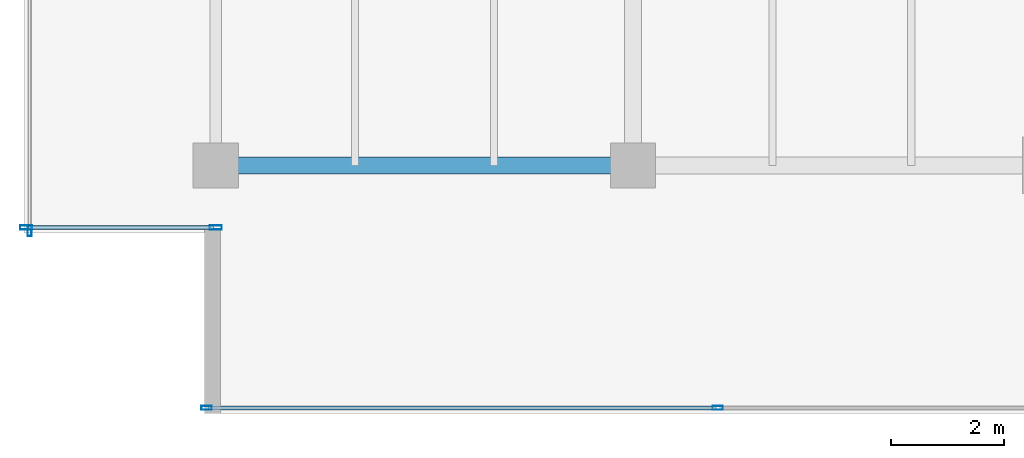
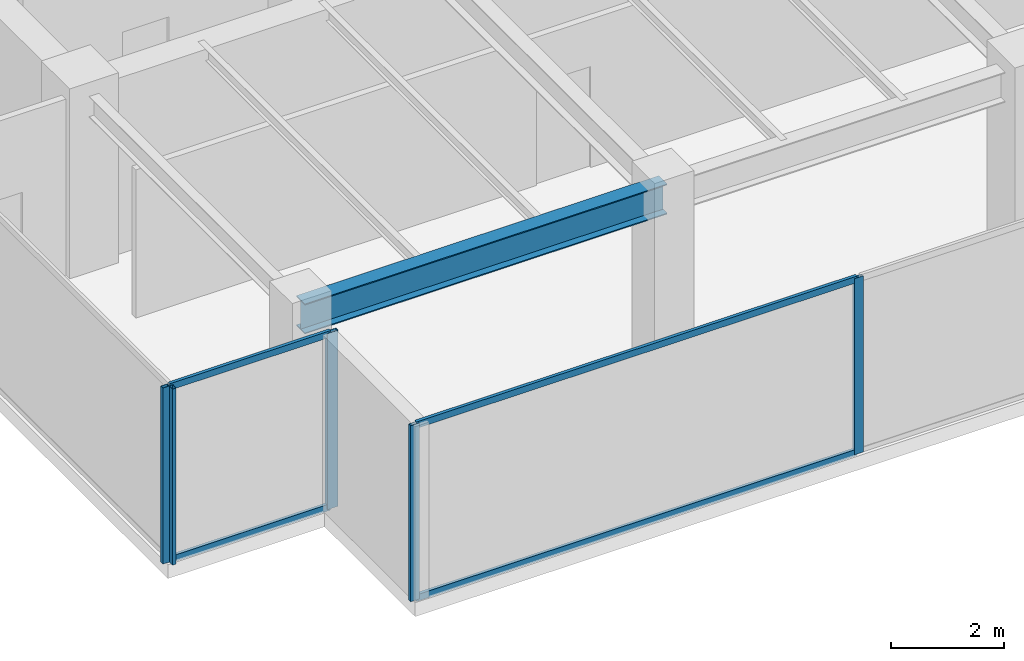
# One storey, part 5 of 33: 9 members, 1 beam, 3 elements without a shape of their own.
"""IFC4 building model written with IfcOpenShell, lengths in metres."""

from ifc_helpers import new_model, si_unit, direction, frame, origin, origin_2d, place, context, subcontext, project, spatial, hollow_rectangle, i_section, extrude, source, transform, mapped, material, layer, layer_set, material_profile, profile_set, type_object, type_shapes, element, aggregate, save


model = new_model("IFC4")

# Units and contexts
model_context = context("Model", 3, precision=1e-05, world=origin(), true_north=direction((0.0, 1.0)))
body_context = subcontext(model_context, "Body", "Model", "MODEL_VIEW")
ifc_project = project(units=[si_unit("LENGTHUNIT", "METRE"), si_unit("AREAUNIT", "SQUARE_METRE"), si_unit("VOLUMEUNIT", "CUBIC_METRE"), si_unit("PLANEANGLEUNIT", "RADIAN"), si_unit("MASSUNIT", "GRAM", prefix="KILO")], contexts=[model_context])

# Site, building, storey
site_placement = place(None, origin())
site = spatial("IfcSite", under=ifc_project, at=site_placement, CompositionType="ELEMENT")
building_placement = place(site_placement, origin())
building = spatial("IfcBuilding", under=site, at=building_placement, Name="Haelvirn Gate Laboratories", CompositionType="ELEMENT")
storey_placement = place(building_placement, frame((0.0, 0.0, 271.10009765625)))
storey = spatial("IfcBuildingStorey", under=building, at=storey_placement, Name="L65", CompositionType="ELEMENT", Elevation=271.10009765625)

# Beam
ifc_material_1 = material(Name="Steel SM355", Category="steel")
ifc_material_profile_1 = material_profile(ifc_material_1, i_section(OverallWidth=0.300048828125, OverallDepth=0.64990234375, WebThickness=0.012939453125, FlangeThickness=0.02197265625, at=origin_2d()), Name="H-650x300x13x22")
ifc_profile_set_1 = profile_set([ifc_material_profile_1], Name="Steel SM355")
beam_type = type_object("IfcBeamType", Name="BM-G-650", PredefinedType="BEAM", material=ifc_profile_set_1)
shared_shape_1 = source(origin(), body_context, "Body", "SweptSolid", [
    extrude(i_section(OverallWidth=0.300048828125, OverallDepth=0.64990234375, WebThickness=0.012939453125, FlangeThickness=0.02197265625, at=origin_2d()), origin(), (0.0, 0.0, 1.0), 7.400146484375),
])
type_shapes(beam_type, [shared_shape_1])
beam_placement = place(storey_placement, frame((7.39990234375, 7.0, 3.474853515625), z_axis=(1.0, 0.0, 0.0), x_axis=(0.0, 1.0, 0.0)))
element("IfcBeam", 1, at=beam_placement, inside=storey, type_object=beam_type, Name="L65 Primary Girder Y7.0 (7.4-14.8)", PredefinedType="BEAM", context=body_context, shape_type="MappedRepresentation", body=[
    mapped(shared_shape_1, transform((0.0, 0.0, 0.0), scale=1.0)),
])

# Curtain wall, members
ifc_material_2 = material(Name="Anodised bronze unitised aluminium & triple low-E glass", Category="aluminium")
ifc_layer_1 = layer(ifc_material_2, 0.181884765625, Name="CW-SYS-5")
ifc_layer_set_1 = layer_set([ifc_layer_1], Name="Anodised bronze unitised aluminium & triple low-E glass")
curtain_wall_type_1 = type_object("IfcCurtainWallType", Name="CW-SYS-5", PredefinedType="NOTDEFINED", material=ifc_layer_set_1)
curtain_wall_1_placement = place(storey_placement, origin())
curtain_wall_1 = element("IfcCurtainWall", 2, at=curtain_wall_1_placement, inside=storey, type_object=curtain_wall_type_1, Name="L65 Unitised Curtain Wall CW-L65-P0-E18-1", PredefinedType="NOTDEFINED")
ifc_material_3 = material(Name="Extruded aluminium 6063-T6 (anodised bronze)", Category="aluminium")
ifc_material_profile_2 = material_profile(ifc_material_3, hollow_rectangle(XDim=0.06494140625, YDim=0.139892578125, WallThickness=0.00390625, at=origin_2d()), Name="CWT-140x65x4")
ifc_profile_set_2 = profile_set([ifc_material_profile_2], Name="Extruded aluminium 6063-T6 (anodised bronze)")
member_type_1 = type_object("IfcMemberType", Name="CWT-T140", PredefinedType="USERDEFINED", material=ifc_profile_set_2)
shared_shape_2 = source(origin(), body_context, "Body", "SweptSolid", [
    extrude(hollow_rectangle(XDim=0.06494140625, YDim=0.139892578125, WallThickness=0.00390625, at=origin_2d()), origin(), (0.0, 0.0, 1.0), 3.280029296875),
])
member_1_placement = place(storey_placement, frame((4.080078125, 5.89990234375, 0.032470703125), z_axis=(1.0, 0.0, 0.0), x_axis=(0.0, 1.0, 0.0)))
member_1 = element("IfcMember", 3, at=member_1_placement, type_object=member_type_1, Name="CW5 transom 1.1", ObjectType="TRANSOM", PredefinedType="USERDEFINED", context=body_context, shape_type="MappedRepresentation", body=[
    mapped(shared_shape_2, transform((0.0, 0.0, 0.0), scale=1.0)),
])
member_2_placement = place(storey_placement, frame((4.080078125, 5.89990234375, 3.767333984375), z_axis=(1.0, 0.0, 0.0), x_axis=(0.0, 1.0, 0.0)))
member_2 = element("IfcMember", 4, at=member_2_placement, type_object=member_type_1, Name="CW5 transom 1.2", ObjectType="TRANSOM", PredefinedType="USERDEFINED", context=body_context, shape_type="MappedRepresentation", body=[
    mapped(shared_shape_2, transform((0.0, 0.0, 0.0), scale=1.0)),
])

ifc_layer_2 = layer(ifc_material_2, 0.176025390625, Name="CW-SYS-4")
ifc_layer_set_2 = layer_set([ifc_layer_2], Name="Anodised bronze unitised aluminium & triple low-E glass")
curtain_wall_type_2 = type_object("IfcCurtainWallType", Name="CW-SYS-4", PredefinedType="NOTDEFINED", material=ifc_layer_set_2)
curtain_wall_2_placement = place(storey_placement, origin())
curtain_wall_2 = element("IfcCurtainWall", 5, at=curtain_wall_2_placement, inside=storey, type_object=curtain_wall_type_2, Name="L65 Unitised Curtain Wall CW-L65-P0-E00-1", PredefinedType="NOTDEFINED")
shared_shape_3 = source(origin(), body_context, "Body", "SweptSolid", [
    extrude(hollow_rectangle(XDim=0.06494140625, YDim=0.139892578125, WallThickness=0.00390625, at=origin_2d()), origin(), (0.0, 0.0, 1.0), 8.994873046875),
])
type_shapes(member_type_1, [shared_shape_2, shared_shape_3])
member_3_placement = place(storey_placement, frame((7.27001953125, 2.699951171875, 0.032470703125), z_axis=(1.0, 0.0, 0.0), x_axis=(0.0, 1.0, 0.0)))
member_3 = element("IfcMember", 6, at=member_3_placement, type_object=member_type_1, Name="CW4 transom 1.1", ObjectType="TRANSOM", PredefinedType="USERDEFINED", context=body_context, shape_type="MappedRepresentation", body=[
    mapped(shared_shape_3, transform((0.0, 0.0, 0.0), scale=1.0)),
])
member_4_placement = place(storey_placement, frame((7.27001953125, 2.699951171875, 3.767333984375), z_axis=(1.0, 0.0, 0.0), x_axis=(0.0, 1.0, 0.0)))
member_4 = element("IfcMember", 7, at=member_4_placement, type_object=member_type_1, Name="CW4 transom 1.2", ObjectType="TRANSOM", PredefinedType="USERDEFINED", context=body_context, shape_type="MappedRepresentation", body=[
    mapped(shared_shape_3, transform((0.0, 0.0, 0.0), scale=1.0)),
])
ifc_material_profile_3 = material_profile(ifc_material_3, hollow_rectangle(XDim=0.070068359375, YDim=0.179931640625, WallThickness=0.0048828125, at=origin_2d()), Name="CWM-180x70x5")
ifc_profile_set_3 = profile_set([ifc_material_profile_3], Name="Extruded aluminium 6063-T6 (anodised bronze)")
member_type_2 = type_object("IfcMemberType", Name="CWM-T180", PredefinedType="MULLION", material=ifc_profile_set_3)
shared_shape_4 = source(origin(), body_context, "Body", "SweptSolid", [
    extrude(hollow_rectangle(XDim=0.070068359375, YDim=0.179931640625, WallThickness=0.0048828125, at=origin_2d()), origin(), (0.0, 0.0, 1.0), 3.7998046875),
])
type_shapes(member_type_2, [shared_shape_4])
member_5_placement = place(storey_placement, frame((7.235107421875, 2.699951171875, 0.0), z_axis=(0.0, 0.0, 1.0), x_axis=(0.0, 1.0, 0.0)))
member_5 = element("IfcMember", 8, at=member_5_placement, type_object=member_type_2, Name="CW4 mullion 1", PredefinedType="MULLION", context=body_context, shape_type="MappedRepresentation", body=[
    mapped(shared_shape_4, transform((0.0, 0.0, 0.0), scale=1.0)),
])
member_6_placement = place(storey_placement, frame((16.300048828125, 2.699951171875, 0.0), z_axis=(0.0, 0.0, 1.0), x_axis=(0.0, 1.0, 0.0)))
member_6 = element("IfcMember", 9, at=member_6_placement, type_object=member_type_2, Name="CW4 mullion 2", PredefinedType="MULLION", context=body_context, shape_type="MappedRepresentation", body=[
    mapped(shared_shape_4, transform((0.0, 0.0, 0.0), scale=1.0)),
])
aggregate(curtain_wall_2, [member_5, member_6, member_3, member_4])

# Curtain wall, member
curtain_wall_3_placement = place(storey_placement, origin())
curtain_wall_3 = element("IfcCurtainWall", 10, at=curtain_wall_3_placement, inside=storey, type_object=curtain_wall_type_2, Name="L65 Unitised Curtain Wall CW-L65-P0-E17", PredefinedType="NOTDEFINED")
member_7_placement = place(storey_placement, frame((4.10009765625, 5.8349609375, 0.0), z_axis=(0.0, 0.0, 1.0), x_axis=(1.0, 0.0, 0.0)))
member_7 = element("IfcMember", 11, at=member_7_placement, type_object=member_type_2, Name="CW4 mullion 3", PredefinedType="MULLION", context=body_context, shape_type="MappedRepresentation", body=[
    mapped(shared_shape_4, transform((0.0, 0.0, 0.0), scale=1.0)),
])
aggregate(curtain_wall_3, [member_7])

# Member
ifc_material_profile_4 = material_profile(ifc_material_3, hollow_rectangle(XDim=0.080078125, YDim=0.219970703125, WallThickness=0.006103515625, at=origin_2d()), Name="CWM-220x80x6")
ifc_profile_set_4 = profile_set([ifc_material_profile_4], Name="Extruded aluminium 6063-T6 (anodised bronze)")
member_type_3 = type_object("IfcMemberType", Name="CWM-T220", PredefinedType="MULLION", material=ifc_profile_set_4)
shared_shape_5 = source(origin(), body_context, "Body", "SweptSolid", [
    extrude(hollow_rectangle(XDim=0.080078125, YDim=0.219970703125, WallThickness=0.006103515625, at=origin_2d()), origin(), (0.0, 0.0, 1.0), 3.7998046875),
])
type_shapes(member_type_3, [shared_shape_5])
member_8_placement = place(storey_placement, frame((4.0400390625, 5.89990234375, 0.0), z_axis=(0.0, 0.0, 1.0), x_axis=(0.0, 1.0, 0.0)))
member_8 = element("IfcMember", 12, at=member_8_placement, type_object=member_type_3, Name="CW5 mullion 1", PredefinedType="MULLION", context=body_context, shape_type="MappedRepresentation", body=[
    mapped(shared_shape_5, transform((0.0, 0.0, 0.0), scale=1.0)),
])

member_9_placement = place(storey_placement, frame((7.39990234375, 5.89990234375, 0.0), z_axis=(0.0, 0.0, 1.0), x_axis=(0.0, 1.0, 0.0)))
member_9 = element("IfcMember", 13, at=member_9_placement, type_object=member_type_3, Name="CW5 mullion 2", PredefinedType="MULLION", context=body_context, shape_type="MappedRepresentation", body=[
    mapped(shared_shape_5, transform((0.0, 0.0, 0.0), scale=1.0)),
])

aggregate(curtain_wall_1, [member_8, member_9, member_1, member_2])

save(model, "model.ifc")
